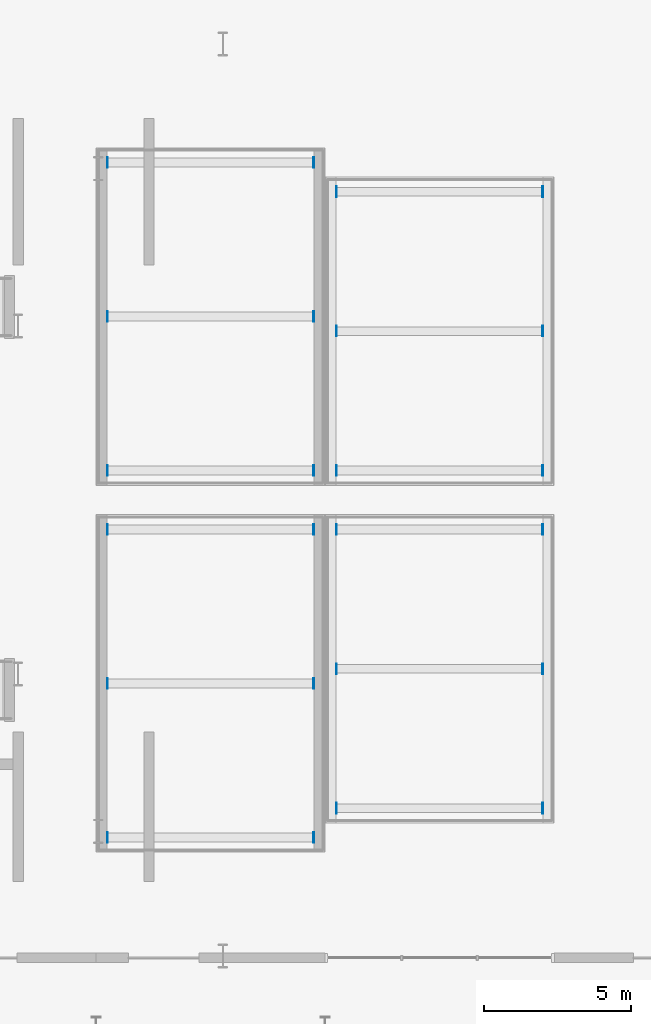
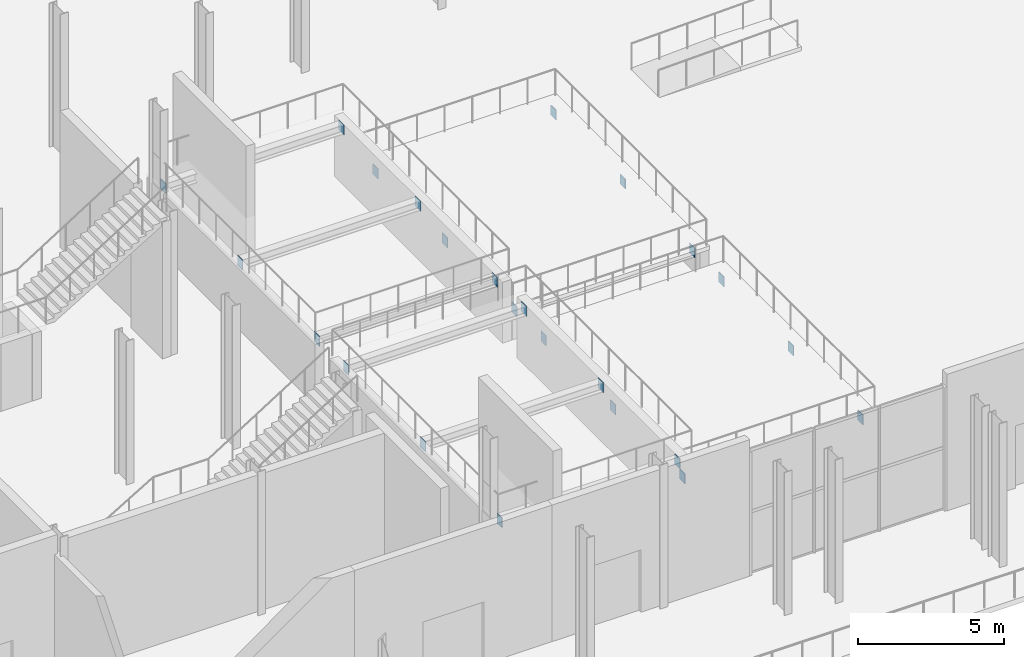
# One storey, part 52 of 84: 24 plates.
"""IFC4 building model written with IfcOpenShell, lengths in metres."""

from ifc_helpers import new_model, si_unit, direction, frame, origin, origin_2d, place, context, subcontext, project, spatial, rectangle, extrude, material, layer, layer_set, type_object, element, save


model = new_model("IFC4")

# Units and contexts
model_context = context("Model", 3, precision=1e-05, world=origin(), true_north=direction((0.0, 1.0)))
body_context = subcontext(model_context, "Body", "Model", "MODEL_VIEW")
ifc_project = project(units=[si_unit("LENGTHUNIT", "METRE"), si_unit("AREAUNIT", "SQUARE_METRE"), si_unit("VOLUMEUNIT", "CUBIC_METRE"), si_unit("PLANEANGLEUNIT", "RADIAN"), si_unit("MASSUNIT", "GRAM", prefix="KILO")], contexts=[model_context])

# Site, building, storey
site_placement = place(None, origin())
site = spatial("IfcSite", under=ifc_project, at=site_placement, CompositionType="ELEMENT")
building_placement = place(site_placement, origin())
building = spatial("IfcBuilding", under=site, at=building_placement, Name="Sefraquen Railside Congress Hotel", CompositionType="ELEMENT")
storey_placement = place(building_placement, origin())
storey = spatial("IfcBuildingStorey", under=building, at=storey_placement, Name="L00", CompositionType="ELEMENT", Elevation=0.0)

# Plates
ifc_material = material(Name="Steel S355J2", Category="steel")
ifc_layer = layer(ifc_material, 0.0400390625)
ifc_layer_set = layer_set([ifc_layer], Name="Steel S355J2")
plate_type = type_object("IfcPlateType", Name="TP-GUS-02", PredefinedType="SHEET", material=ifc_layer_set)
for number, where, z_axis, x_axis, name in (
    (1, (56.7880859375, 16.5, 0.635009765625), (0.0, 0.0, 1.0), (1.0, 0.0, 0.0), "Cast-in core wall embed plate PL-L00-RKR-01A-W"),
    (2, (63.81201171875, 16.5, 0.635009765625), (0.0, 0.0, 1.0), (1.0, 0.0, 0.0), "Cast-in core wall embed plate PL-L00-RKR-01A-E"),
    (3, (56.7880859375, 21.25, 0.635009765625), (0.0, 0.0, 1.0), (1.0, 0.0, 0.0), "Cast-in core wall embed plate PL-L00-RKR-01M-W"),
    (4, (63.81201171875, 21.25, 0.635009765625), (0.0, 0.0, 1.0), (1.0, 0.0, 0.0), "Cast-in core wall embed plate PL-L00-RKR-01M-E"),
    (5, (56.7880859375, 26.0, 0.635009765625), (0.0, 0.0, 1.0), (1.0, 0.0, 0.0), "Cast-in core wall embed plate PL-L00-RKR-01B-W"),
    (6, (63.81201171875, 26.0, 0.635009765625), (0.0, 0.0, 1.0), (1.0, 0.0, 0.0), "Cast-in core wall embed plate PL-L00-RKR-01B-E"),
    (7, (56.7880859375, 28.0, 0.635009765625), (0.0, 0.0, 1.0), (1.0, 0.0, 0.0), "Cast-in core wall embed plate PL-L00-RKR-02A-W"),
    (8, (63.81201171875, 28.0, 0.635009765625), (0.0, 0.0, 1.0), (1.0, 0.0, 0.0), "Cast-in core wall embed plate PL-L00-RKR-02A-E"),
    (9, (56.7880859375, 32.75, 0.635009765625), (0.0, 0.0, 1.0), (1.0, 0.0, 0.0), "Cast-in core wall embed plate PL-L00-RKR-02M-W"),
    (10, (63.81201171875, 32.75, 0.635009765625), (0.0, 0.0, 1.0), (1.0, 0.0, 0.0), "Cast-in core wall embed plate PL-L00-RKR-02M-E"),
    (11, (56.7880859375, 37.5, 0.635009765625), (0.0, 0.0, 1.0), (1.0, 0.0, 0.0), "Cast-in core wall embed plate PL-L00-RKR-02B-W"),
    (12, (63.81201171875, 37.5, 0.635009765625), (0.0, 0.0, 1.0), (1.0, 0.0, 0.0), "Cast-in core wall embed plate PL-L00-RKR-02B-E"),
    (13, (48.988037109375, 15.5, 2.135009765625), (0.0, 0.0, 1.0), (1.0, 0.0, 0.0), "Cast-in core wall embed plate PL-L00-RKR-03A-W"),
    (14, (56.011962890625, 15.5, 2.135009765625), (0.0, 0.0, 1.0), (1.0, 0.0, 0.0), "Cast-in core wall embed plate PL-L00-RKR-03A-E"),
    (15, (48.988037109375, 20.75, 2.135009765625), (0.0, 0.0, 1.0), (1.0, 0.0, 0.0), "Cast-in core wall embed plate PL-L00-RKR-03M-W"),
    (16, (56.011962890625, 20.75, 2.135009765625), (0.0, 0.0, 1.0), (1.0, 0.0, 0.0), "Cast-in core wall embed plate PL-L00-RKR-03M-E"),
    (17, (48.988037109375, 26.0, 2.135009765625), (0.0, 0.0, 1.0), (1.0, 0.0, 0.0), "Cast-in core wall embed plate PL-L00-RKR-03B-W"),
    (18, (56.011962890625, 26.0, 2.135009765625), (0.0, 0.0, 1.0), (1.0, 0.0, 0.0), "Cast-in core wall embed plate PL-L00-RKR-03B-E"),
    (19, (48.988037109375, 28.0, 2.135009765625), (0.0, 0.0, 1.0), (1.0, 0.0, 0.0), "Cast-in core wall embed plate PL-L00-RKR-04A-W"),
    (20, (56.011962890625, 28.0, 2.135009765625), (0.0, 0.0, 1.0), (1.0, 0.0, 0.0), "Cast-in core wall embed plate PL-L00-RKR-04A-E"),
    (21, (48.988037109375, 33.25, 2.135009765625), (0.0, 0.0, 1.0), (1.0, 0.0, 0.0), "Cast-in core wall embed plate PL-L00-RKR-04M-W"),
    (22, (56.011962890625, 33.25, 2.135009765625), (0.0, 0.0, 1.0), (1.0, 0.0, 0.0), "Cast-in core wall embed plate PL-L00-RKR-04M-E"),
    (23, (48.988037109375, 38.5, 2.135009765625), (0.0, 0.0, 1.0), (1.0, 0.0, 0.0), "Cast-in core wall embed plate PL-L00-RKR-04B-W"),
    (24, (56.011962890625, 38.5, 2.135009765625), (0.0, 0.0, 1.0), (1.0, 0.0, 0.0), "Cast-in core wall embed plate PL-L00-RKR-04B-E"),
):
    element("IfcPlate", number, at=place(storey_placement, frame(where, z_axis=z_axis, x_axis=x_axis)), inside=storey, type_object=plate_type, Name=name, PredefinedType="SHEET", context=body_context, shape_type="SweptSolid", body=[
        extrude(rectangle(XDim=0.02490234375, YDim=0.360107421875, at=origin_2d()), origin(), (0.0, 0.0, 1.0), 0.419921875),
    ])

save(model, "model.ifc")
